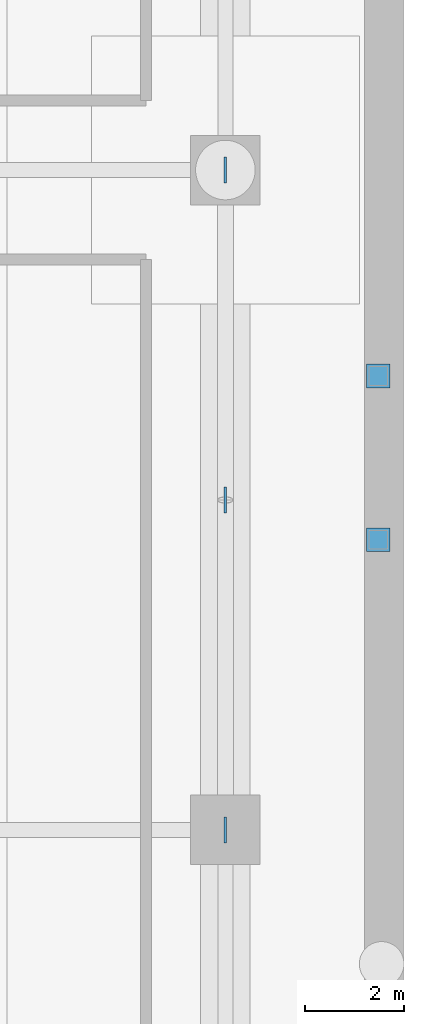
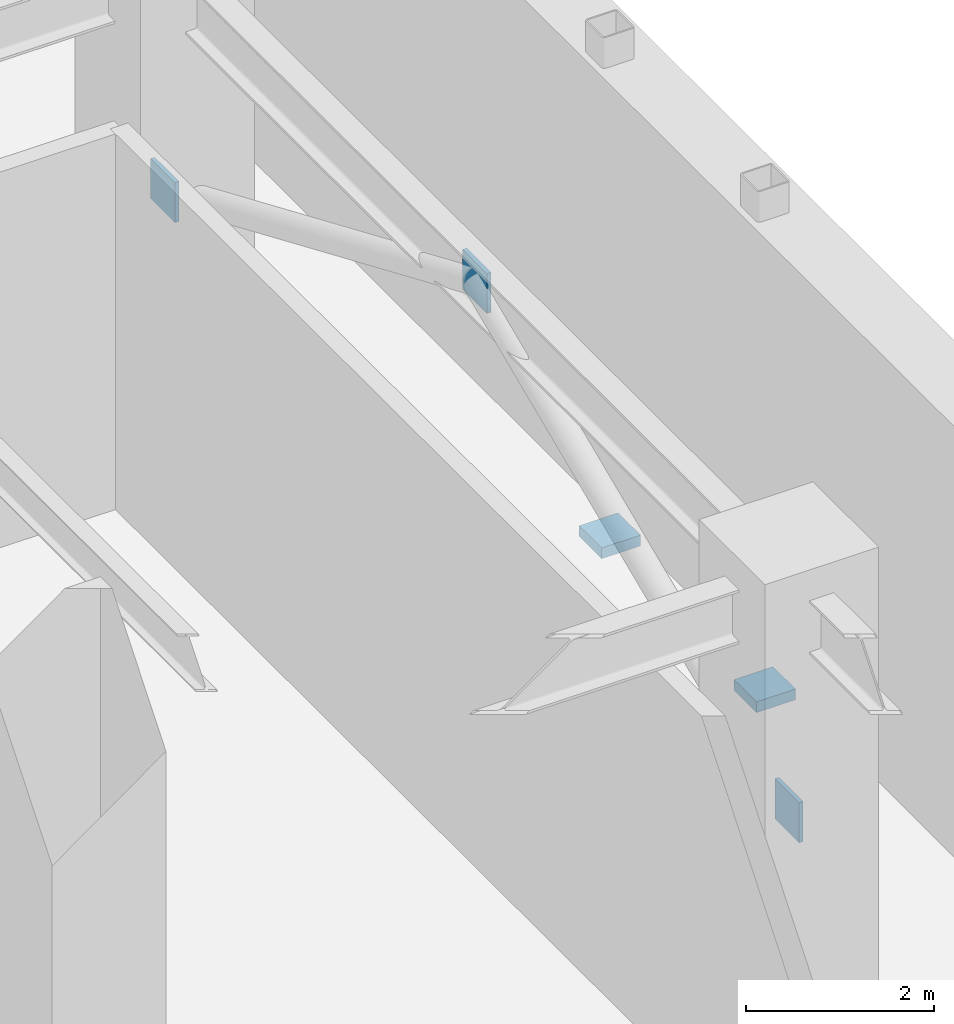
# One storey, part 29 of 37: 5 discrete accessories.
"""IFC4 building model written with IfcOpenShell, lengths in metres."""

from ifc_helpers import new_model, si_unit, direction, frame, origin, origin_2d, place, context, subcontext, project, spatial, rectangle, extrude, material, type_object, element, save


model = new_model("IFC4")

# Units and contexts
model_context = context("Model", 3, precision=1e-05, world=origin(), true_north=direction((0.0, 1.0)))
body_context = subcontext(model_context, "Body", "Model", "MODEL_VIEW")
ifc_project = project(units=[si_unit("LENGTHUNIT", "METRE"), si_unit("AREAUNIT", "SQUARE_METRE"), si_unit("VOLUMEUNIT", "CUBIC_METRE"), si_unit("PLANEANGLEUNIT", "RADIAN"), si_unit("MASSUNIT", "GRAM", prefix="KILO")], contexts=[model_context])

# Site, building, storey
site_placement = place(None, origin())
site = spatial("IfcSite", under=ifc_project, at=site_placement, CompositionType="ELEMENT")
building_placement = place(site_placement, origin())
building = spatial("IfcBuilding", under=site, at=building_placement, Name="Narakoshi Arena Tower", CompositionType="ELEMENT")
storey_placement = place(building_placement, frame((0.0, 0.0, -6.0)))
storey = spatial("IfcBuildingStorey", under=building, at=storey_placement, Name="B01", CompositionType="ELEMENT", Elevation=-6.0)

# Discrete accessories
ifc_material = material(Name="Structural steel S460ML", Category="steel")
discrete_accessory_type = type_object("IfcDiscreteAccessoryType", Name="ACC-GUS-PLT", PredefinedType="BRACKET", material=ifc_material)
for number, where, z_axis, x_axis, name in (
    (1, (125.47998046875, 40.550048828125, -0.72998046875), (0.0, 0.0, 1.0), (1.0, 0.0, 0.0), "B01 Lobby Pier Base Cap Plate 06S"),
    (2, (125.47998046875, 43.85009765625, -0.72998046875), (0.0, 0.0, 1.0), (1.0, 0.0, 0.0), "B01 Lobby Pier Base Cap Plate 06N"),
):
    element("IfcDiscreteAccessory", number, at=place(storey_placement, frame(where, z_axis=z_axis, x_axis=x_axis)), inside=storey, type_object=discrete_accessory_type, Name=name, PredefinedType="BRACKET", context=body_context, shape_type="SweptSolid", body=[
        extrude(rectangle(XDim=0.47998046875, YDim=0.47998046875, at=origin_2d()), origin(), (0.0, 0.0, 1.0), 0.139892578125),
    ])
for number, where, z_axis, x_axis, name in (
    (3, (122.39990234375, 34.699951171875, 2.139892578125), (0.0, 0.0, 1.0), (0.0, 1.0, 0.0), "B01 Brace Node Gusset Plate 0004"),
    (4, (122.39990234375, 41.35009765625, 4.989990234375), (0.0, 0.0, 1.0), (0.0, 1.0, 0.0), "B01 Brace Node Gusset Plate 0005"),
    (5, (122.39990234375, 48.0, 2.139892578125), (0.0, 0.0, 1.0), (0.0, 1.0, 0.0), "B01 Brace Node Gusset Plate 0006"),
):
    element("IfcDiscreteAccessory", number, at=place(storey_placement, frame(where, z_axis=z_axis, x_axis=x_axis)), inside=storey, type_object=discrete_accessory_type, Name=name, PredefinedType="BRACKET", context=body_context, shape_type="SweptSolid", body=[
        extrude(rectangle(XDim=0.52001953125, YDim=0.050048828125, at=origin_2d()), origin(), (0.0, 0.0, 1.0), 0.52001953125),
    ])

save(model, "model.ifc")
